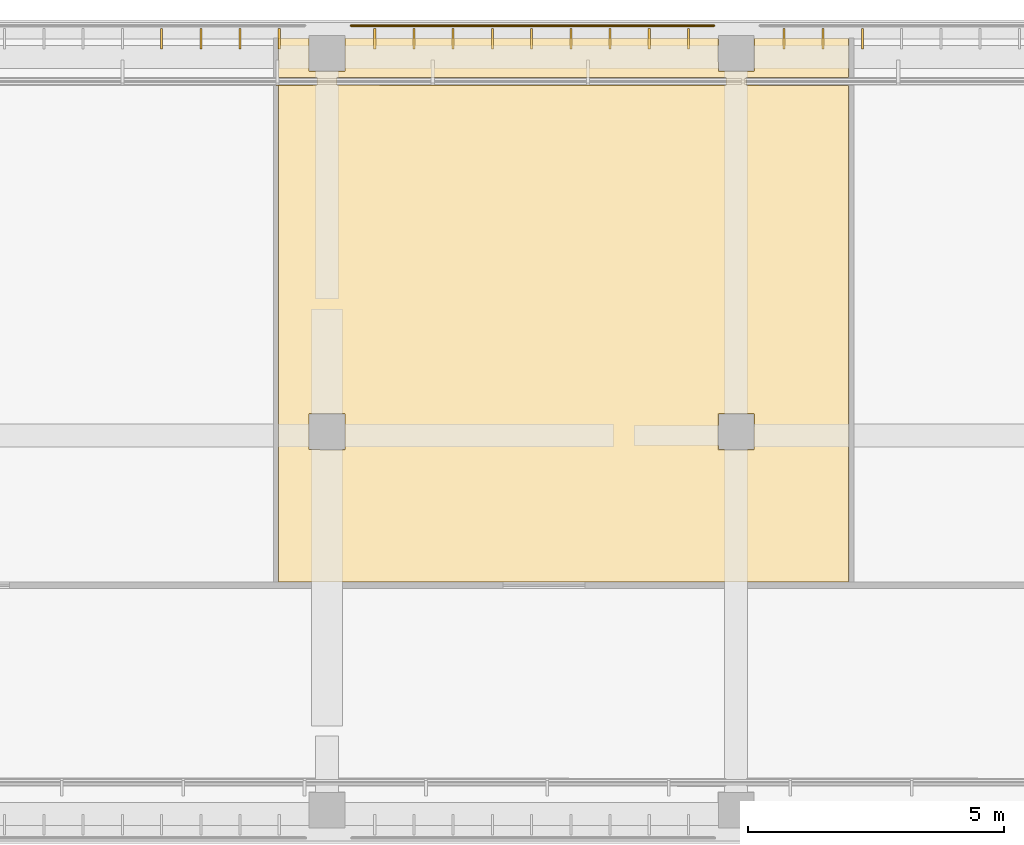
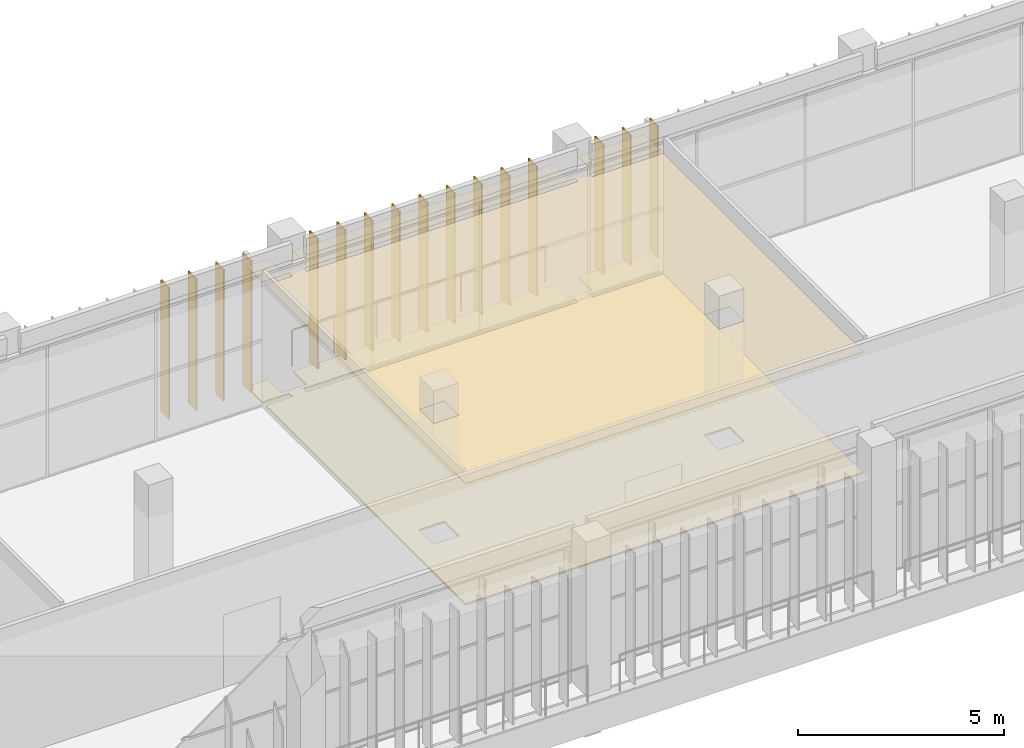
# One storey, part 69 of 73: 16 shading devices, 2 coverings, 1 railing.
"""IFC4 building model written with IfcOpenShell, lengths in metres."""

from ifc_helpers import new_model, si_unit, direction, frame, origin, origin_2d, place, context, subcontext, project, spatial, polyline, rectangle, circle, outline, extrude, material, layer, layer_set, type_object, element, save


model = new_model("IFC4")

# Units and contexts
model_context = context("Model", 3, precision=1e-05, world=origin(), true_north=direction((0.0, 1.0)))
body_context = subcontext(model_context, "Body", "Model", "MODEL_VIEW")
ifc_project = project(units=[si_unit("LENGTHUNIT", "METRE"), si_unit("AREAUNIT", "SQUARE_METRE"), si_unit("VOLUMEUNIT", "CUBIC_METRE"), si_unit("PLANEANGLEUNIT", "RADIAN"), si_unit("MASSUNIT", "GRAM", prefix="KILO")], contexts=[model_context])

# Site, building, storey
site_placement = place(None, origin())
site = spatial("IfcSite", under=ifc_project, at=site_placement, CompositionType="ELEMENT")
building_placement = place(site_placement, origin())
building = spatial("IfcBuilding", under=site, at=building_placement, Name="Lantern Court Media Centre", CompositionType="ELEMENT")
storey_placement = place(building_placement, frame((0.0, 0.0, 24.0)))
storey = spatial("IfcBuildingStorey", under=building, at=storey_placement, Name="L05", CompositionType="ELEMENT", Elevation=24.0)

# Covering
ifc_material_1 = material(Name="Carpet")
ifc_layer_1 = layer(ifc_material_1, 0.050048828125)
ifc_layer_set_1 = layer_set([ifc_layer_1], Name="Carpet")
covering_type_1 = type_object("IfcCoveringType", Name="Carpet floor finish", PredefinedType="FLOORING", material=ifc_layer_set_1)
covering_1_placement = place(storey_placement, origin())
element("IfcCovering", 1, at=covering_1_placement, inside=storey, type_object=covering_type_1, Name="Conference Room 02 floor finish", PredefinedType="FLOORING", context=body_context, shape_type="SweptSolid", body=[
    extrude(outline(polyline([(66.195068359375, 116.699951171875), (66.195068359375, 115.929931640625), (64.195068359375, 115.925048828125), (64.199462890625, 115.77001953125), (66.195068359375, 115.77001953125), (66.195068359375, 106.0673828125), (55.054931640625, 106.0673828125), (55.054931640625, 115.77001953125), (55.804931640625, 115.77490234375), (55.801025390625, 115.929931640625), (55.054931640625, 115.929931640625), (55.054931640625, 116.699951171875), (55.64501953125, 116.699951171875), (55.64990234375, 116.044921875), (56.353515625, 116.04638671875), (56.35498046875, 116.699951171875), (63.64501953125, 116.699951171875), (63.64990234375, 116.044921875), (64.353515625, 116.04638671875), (64.35498046875, 116.699951171875), (66.195068359375, 116.699951171875)]), holes=[polyline([(64.35009765625, 108.64501953125), (64.353515625, 109.353515625), (63.646484375, 109.353515625), (63.646484375, 108.646484375), (64.35009765625, 108.64501953125)]), polyline([(56.195068359375, 115.77490234375), (63.800048828125, 115.77001953125), (63.804931640625, 115.925048828125), (56.199951171875, 115.929931640625), (56.195068359375, 115.77490234375)]), polyline([(55.64501953125, 108.64990234375), (56.353515625, 108.646484375), (56.353515625, 109.353515625), (55.646484375, 109.353515625), (55.64501953125, 108.64990234375)])]), origin(), (0.0, 0.0, 1.0), 0.050048828125),
])

# Railing
ifc_material_2 = material(Name="Powder-coated steel", Category="steel")
railing_type = type_object("IfcRailingType", Name="Floor edge guard 1100", PredefinedType="GUARDRAIL", material=ifc_material_2)
railing_placement = place(storey_placement, frame((56.467041015625, 116.93994140625, 0.0)))
element("IfcRailing", 2, at=railing_placement, inside=storey, type_object=railing_type, Name="L05 edge guard 180", PredefinedType="GUARDRAIL", context=body_context, shape_type="SweptSolid", body=[
    extrude(circle(Radius=0.02392578125, at=origin_2d()), frame((0.0, 0.0, 1.076171875), z_axis=(1.0, 0.0, 0.0), x_axis=(0.0, 1.0, 0.0)), (0.0, 0.0, 1.0), 7.097900390625),
    extrude(circle(Radius=0.02099609375, at=origin_2d()), origin(), (0.0, 0.0, 1.0), 1.052001953125),
    extrude(circle(Radius=0.02099609375, at=origin_2d()), frame((1.18310546875, 0.0, 0.0)), (0.0, 0.0, 1.0), 1.052001953125),
    extrude(circle(Radius=0.02099609375, at=origin_2d()), frame((2.365966796875, 0.0, 0.0)), (0.0, 0.0, 1.0), 1.052001953125),
    extrude(circle(Radius=0.02099609375, at=origin_2d()), frame((3.548828125, 0.0, 0.0)), (0.0, 0.0, 1.0), 1.052001953125),
    extrude(circle(Radius=0.02099609375, at=origin_2d()), frame((4.73193359375, 0.0, 0.0)), (0.0, 0.0, 1.0), 1.052001953125),
    extrude(circle(Radius=0.02099609375, at=origin_2d()), frame((5.9150390625, 0.0, 0.0)), (0.0, 0.0, 1.0), 1.052001953125),
    extrude(circle(Radius=0.02099609375, at=origin_2d()), frame((7.097900390625, 0.0, 0.0)), (0.0, 0.0, 1.0), 1.052001953125),
])

# Covering
ifc_material_3 = material(Name="Mineral fibre ceiling tile")
ifc_layer_2 = layer(ifc_material_3, 0.02001953125)
ifc_layer_set_2 = layer_set([ifc_layer_2], Name="Mineral fibre ceiling tile")
covering_type_2 = type_object("IfcCoveringType", Name="Suspended ceiling tile", PredefinedType="CEILING", material=ifc_layer_set_2)
covering_2_placement = place(storey_placement, frame((0.0, 0.0, 3.60009765625)))
element("IfcCovering", 3, at=covering_2_placement, inside=storey, type_object=covering_type_2, Name="Conference Room 02 ceiling", PredefinedType="CEILING", context=body_context, shape_type="SweptSolid", body=[
    extrude(outline(polyline([(66.25, 115.7705078125), (66.199462890625, 115.77001953125), (66.199462890625, 106.06298828125), (55.050537109375, 106.06298828125), (55.050537109375, 115.77001953125), (55.0, 115.7744140625), (55.800537109375, 115.77490234375), (55.800048828125, 115.925537109375), (55.0, 115.925537109375), (55.050537109375, 115.929931640625), (55.050537109375, 116.699951171875), (55.6494140625, 116.699951171875), (55.64990234375, 116.049560546875), (56.350341796875, 116.049560546875), (56.3505859375, 116.699951171875), (63.6494140625, 116.699951171875), (63.64990234375, 116.049560546875), (64.350341796875, 116.049560546875), (64.3505859375, 116.699951171875), (66.199462890625, 116.699951171875), (66.199462890625, 115.929931640625), (66.25, 115.925537109375), (64.199951171875, 115.925537109375), (64.199462890625, 115.77490234375), (66.25, 115.7705078125)]), holes=[polyline([(64.3505859375, 109.35009765625), (63.649658203125, 109.350341796875), (63.649658203125, 108.649658203125), (64.350341796875, 108.649658203125), (64.3505859375, 109.35009765625)]), polyline([(56.199462890625, 115.77490234375), (63.800048828125, 115.7744140625), (63.800537109375, 115.925048828125), (56.199951171875, 115.925537109375), (56.199462890625, 115.77490234375)]), polyline([(56.35009765625, 108.6494140625), (56.350341796875, 109.350341796875), (55.649658203125, 109.350341796875), (55.649658203125, 108.649658203125), (56.35009765625, 108.6494140625)])]), origin(), (0.0, 0.0, 1.0), 0.02001953125),
])

# Shading devices
ifc_material_4 = material(Name="Bronze anodised aluminium louvre", Category="aluminium")
ifc_layer_3 = layer(ifc_material_4, 0.0400390625)
ifc_layer_set_3 = layer_set([ifc_layer_3], Name="Bronze anodised aluminium louvre")
shading_device_type = type_object("IfcShadingDeviceType", Name="Vertical louvre 40x400 under beam", PredefinedType="USERDEFINED", material=ifc_layer_set_3)
for number, where, z_axis, x_axis, name in (
    (4, (52.7666015625, 116.679931640625, 0.0), (0.0, 0.0, 1.0), (1.0, 0.0, 0.0), "Vertical louvre N outer L05"),
    (5, (53.533447265625, 116.679931640625, 0.0), (0.0, 0.0, 1.0), (1.0, 0.0, 0.0), "Vertical louvre N outer L05"),
    (6, (54.300048828125, 116.679931640625, 0.0), (0.0, 0.0, 1.0), (1.0, 0.0, 0.0), "Vertical louvre N outer L05"),
    (7, (55.066650390625, 116.679931640625, 0.0), (0.0, 0.0, 1.0), (1.0, 0.0, 0.0), "Vertical louvre N outer L05"),
    (8, (56.933349609375, 116.679931640625, 0.0), (0.0, 0.0, 1.0), (1.0, 0.0, 0.0), "Vertical louvre N outer L05"),
    (9, (57.699951171875, 116.679931640625, 0.0), (0.0, 0.0, 1.0), (1.0, 0.0, 0.0), "Vertical louvre N outer L05"),
    (10, (58.466552734375, 116.679931640625, 0.0), (0.0, 0.0, 1.0), (1.0, 0.0, 0.0), "Vertical louvre N outer L05"),
    (11, (59.2333984375, 116.679931640625, 0.0), (0.0, 0.0, 1.0), (1.0, 0.0, 0.0), "Vertical louvre N outer L05"),
    (12, (60.0, 116.679931640625, 0.0), (0.0, 0.0, 1.0), (1.0, 0.0, 0.0), "Vertical louvre N outer L05"),
    (13, (60.7666015625, 116.679931640625, 0.0), (0.0, 0.0, 1.0), (1.0, 0.0, 0.0), "Vertical louvre N outer L05"),
    (14, (61.533447265625, 116.679931640625, 0.0), (0.0, 0.0, 1.0), (1.0, 0.0, 0.0), "Vertical louvre N outer L05"),
    (15, (62.300048828125, 116.679931640625, 0.0), (0.0, 0.0, 1.0), (1.0, 0.0, 0.0), "Vertical louvre N outer L05"),
    (16, (63.066650390625, 116.679931640625, 0.0), (0.0, 0.0, 1.0), (1.0, 0.0, 0.0), "Vertical louvre N outer L05"),
    (17, (64.933349609375, 116.679931640625, 0.0), (0.0, 0.0, 1.0), (1.0, 0.0, 0.0), "Vertical louvre N outer L05"),
    (18, (65.699951171875, 116.679931640625, 0.0), (0.0, 0.0, 1.0), (1.0, 0.0, 0.0), "Vertical louvre N outer L05"),
    (19, (66.466552734375, 116.679931640625, 0.0), (0.0, 0.0, 1.0), (1.0, 0.0, 0.0), "Vertical louvre N outer L05"),
):
    element("IfcShadingDevice", number, at=place(storey_placement, frame(where, z_axis=z_axis, x_axis=x_axis)), inside=storey, type_object=shading_device_type, Name=name, ObjectType="VERTICAL LOUVRE", PredefinedType="USERDEFINED", context=body_context, shape_type="SweptSolid", body=[
        extrude(rectangle(XDim=0.0400390625, YDim=0.39990234375, at=origin_2d()), origin(), (0.0, 0.0, 1.0), 3.89990234375),
    ])

save(model, "model.ifc")
